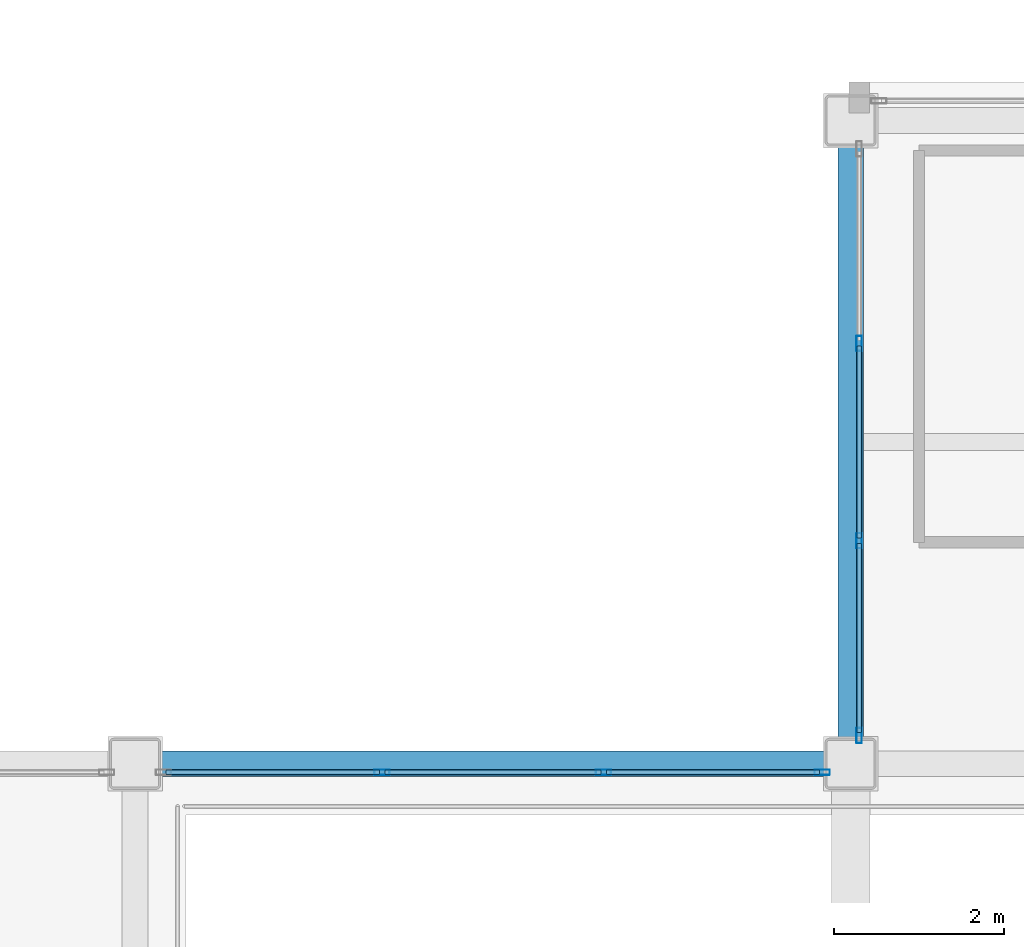
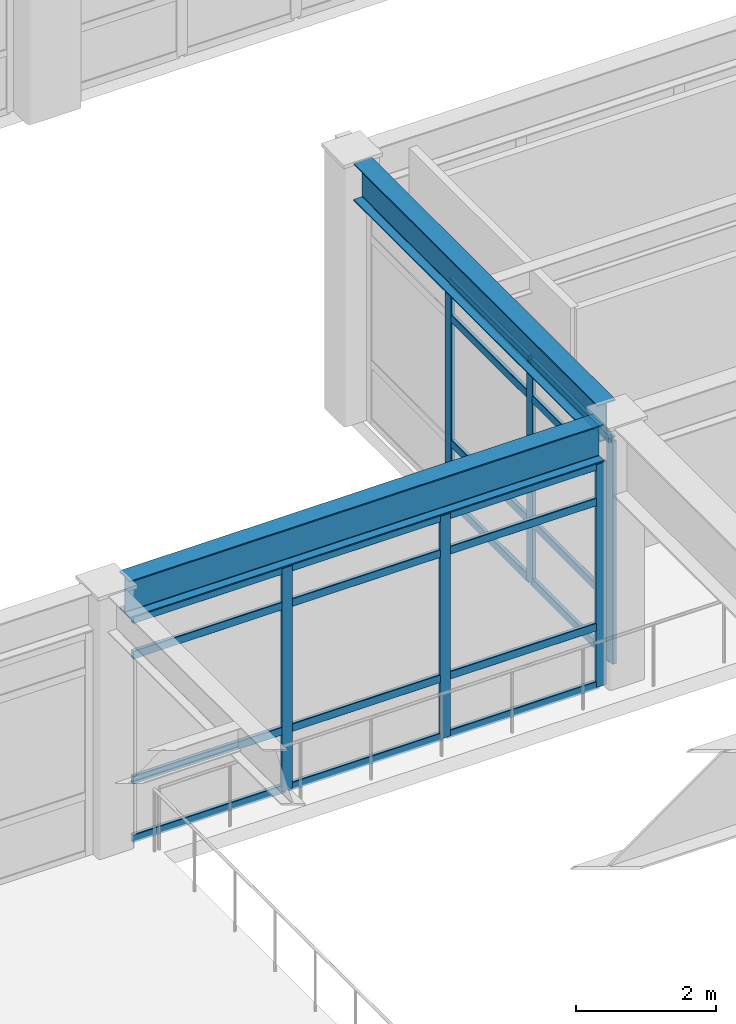
# One storey, part 24 of 172: 26 members, 2 beams, 2 elements without a shape of their own.
"""IFC4 building model written with IfcOpenShell, lengths in metres."""

from ifc_helpers import new_model, si_unit, direction, frame, origin, origin_2d, place, context, subcontext, project, spatial, hollow_rectangle, i_section, extrude, material, layer, layer_set, material_profile, profile_set, type_object, element, aggregate, save


model = new_model("IFC4")

# Units and contexts
model_context = context("Model", 3, precision=1e-05, world=origin(), true_north=direction((0.0, 1.0)))
body_context = subcontext(model_context, "Body", "Model", "MODEL_VIEW")
ifc_project = project(units=[si_unit("LENGTHUNIT", "METRE"), si_unit("AREAUNIT", "SQUARE_METRE"), si_unit("VOLUMEUNIT", "CUBIC_METRE"), si_unit("PLANEANGLEUNIT", "RADIAN"), si_unit("MASSUNIT", "GRAM", prefix="KILO")], contexts=[model_context])

# Site, building, storey
site_placement = place(None, origin())
site = spatial("IfcSite", under=ifc_project, at=site_placement, CompositionType="ELEMENT")
building_placement = place(site_placement, origin())
building = spatial("IfcBuilding", under=site, at=building_placement, Name="Kazehara Bluff Congress Hotel", CompositionType="ELEMENT")
storey_placement = place(building_placement, frame((0.0, 0.0, 5.39990234375)))
storey = spatial("IfcBuildingStorey", under=building, at=storey_placement, Name="L01", CompositionType="ELEMENT", Elevation=5.39990234375)

# Curtain wall, members
ifc_material_1 = material(Name="Anodised aluminium", Category="aluminium")
ifc_layer_1 = layer(ifc_material_1, 0.159912109375)
ifc_layer_set_1 = layer_set([ifc_layer_1], Name="Anodised aluminium")
curtain_wall_type_1 = type_object("IfcCurtainWallType", Name="TP-CW-33", PredefinedType="NOTDEFINED", material=ifc_layer_set_1)
curtain_wall_1_placement = place(storey_placement, origin())
curtain_wall_1 = element("IfcCurtainWall", 1, at=curtain_wall_1_placement, inside=storey, type_object=curtain_wall_type_1, Name="L01 curtain wall CW-33 CW-ENC-V2-L01-2530-3578", PredefinedType="NOTDEFINED")
ifc_material_2 = material(Name="Anodised aluminium", Category="aluminium")
ifc_material_profile_1 = material_profile(ifc_material_2, hollow_rectangle(XDim=0.06494140625, YDim=0.179931640625, WallThickness=0.00390625, InnerFilletRadius=0.00390625, OuterFilletRadius=0.008056640625, at=origin_2d()))
ifc_profile_set_1 = profile_set([ifc_material_profile_1], Name="Anodised aluminium")
member_type_1 = type_object("IfcMemberType", Name="TP-CWM-02", PredefinedType="MULLION", material=ifc_profile_set_1)
member_1_placement = place(storey_placement, frame((25.300048828125, 32.33251953125, 0.0), z_axis=(0.0, 0.0, 1.0), x_axis=(-1.0, 0.0, 0.0)))
member_1 = element("IfcMember", 2, at=member_1_placement, type_object=member_type_1, Name="CW-33 mullion 1", PredefinedType="MULLION", context=body_context, shape_type="SweptSolid", body=[
    extrude(hollow_rectangle(XDim=0.06494140625, YDim=0.179931640625, WallThickness=0.00390625, InnerFilletRadius=0.00390625, OuterFilletRadius=0.008056640625, at=origin_2d()), origin(), (0.0, 0.0, 1.0), 3.875),
])
member_2_placement = place(storey_placement, frame((25.300048828125, 34.61669921875, 0.0), z_axis=(0.0, 0.0, 1.0), x_axis=(-1.0, 0.0, 0.0)))
member_2 = element("IfcMember", 3, at=member_2_placement, type_object=member_type_1, Name="CW-33 mullion 2", PredefinedType="MULLION", context=body_context, shape_type="SweptSolid", body=[
    extrude(hollow_rectangle(XDim=0.06494140625, YDim=0.179931640625, WallThickness=0.00390625, InnerFilletRadius=0.00390625, OuterFilletRadius=0.008056640625, at=origin_2d()), origin(), (0.0, 0.0, 1.0), 3.875),
])
member_3_placement = place(storey_placement, frame((25.300048828125, 36.933349609375, 0.0), z_axis=(0.0, 0.0, 1.0), x_axis=(-1.0, 0.0, 0.0)))
member_3 = element("IfcMember", 4, at=member_3_placement, type_object=member_type_1, Name="CW-33 mullion 3", PredefinedType="MULLION", context=body_context, shape_type="SweptSolid", body=[
    extrude(hollow_rectangle(XDim=0.06494140625, YDim=0.179931640625, WallThickness=0.00390625, InnerFilletRadius=0.00390625, OuterFilletRadius=0.008056640625, at=origin_2d()), origin(), (0.0, 0.0, 1.0), 3.875),
])

ifc_material_3 = material(Name="Anodised aluminium", Category="aluminium")
ifc_layer_2 = layer(ifc_material_3, 0.159912109375)
ifc_layer_set_2 = layer_set([ifc_layer_2], Name="Anodised aluminium")
curtain_wall_type_2 = type_object("IfcCurtainWallType", Name="TP-CW-29", PredefinedType="NOTDEFINED", material=ifc_layer_set_2)
curtain_wall_2_placement = place(storey_placement, origin())
curtain_wall_2 = element("IfcCurtainWall", 5, at=curtain_wall_2_placement, inside=storey, type_object=curtain_wall_type_2, Name="L01 curtain wall CW-29 CW-ENC-V2-L01-2100-3190", PredefinedType="NOTDEFINED")
member_4_placement = place(storey_placement, frame((19.699951171875, 31.89990234375, 0.0), z_axis=(0.0, 0.0, 1.0), x_axis=(0.0, 1.0, 0.0)))
member_4 = element("IfcMember", 6, at=member_4_placement, type_object=member_type_1, Name="CW-29 mullion 2", PredefinedType="MULLION", context=body_context, shape_type="SweptSolid", body=[
    extrude(hollow_rectangle(XDim=0.06494140625, YDim=0.179931640625, WallThickness=0.00390625, InnerFilletRadius=0.00390625, OuterFilletRadius=0.008056640625, at=origin_2d()), origin(), (0.0, 0.0, 1.0), 3.875),
])
member_5_placement = place(storey_placement, frame((22.300048828125, 31.89990234375, 0.0), z_axis=(0.0, 0.0, 1.0), x_axis=(0.0, 1.0, 0.0)))
member_5 = element("IfcMember", 7, at=member_5_placement, type_object=member_type_1, Name="CW-29 mullion 3", PredefinedType="MULLION", context=body_context, shape_type="SweptSolid", body=[
    extrude(hollow_rectangle(XDim=0.06494140625, YDim=0.179931640625, WallThickness=0.00390625, InnerFilletRadius=0.00390625, OuterFilletRadius=0.008056640625, at=origin_2d()), origin(), (0.0, 0.0, 1.0), 3.875),
])
member_6_placement = place(storey_placement, frame((24.867431640625, 31.89990234375, 0.0), z_axis=(0.0, 0.0, 1.0), x_axis=(0.0, 1.0, 0.0)))
member_6 = element("IfcMember", 8, at=member_6_placement, type_object=member_type_1, Name="CW-29 mullion 4", PredefinedType="MULLION", context=body_context, shape_type="SweptSolid", body=[
    extrude(hollow_rectangle(XDim=0.06494140625, YDim=0.179931640625, WallThickness=0.00390625, InnerFilletRadius=0.00390625, OuterFilletRadius=0.008056640625, at=origin_2d()), origin(), (0.0, 0.0, 1.0), 3.875),
])

# Member
ifc_material_4 = material(Name="Anodised aluminium", Category="aluminium")
ifc_material_profile_2 = material_profile(ifc_material_4, hollow_rectangle(XDim=0.06494140625, YDim=0.139892578125, WallThickness=0.00390625, InnerFilletRadius=0.00390625, OuterFilletRadius=0.008056640625, at=origin_2d()))
ifc_profile_set_2 = profile_set([ifc_material_profile_2], Name="Anodised aluminium")
member_type_2 = type_object("IfcMemberType", Name="TP-CWT-02", PredefinedType="USERDEFINED", material=ifc_profile_set_2)
member_7_placement = place(storey_placement, frame((25.300048828125, 32.364990234375, 0.03271484375), z_axis=(0.0, 1.0, 0.0), x_axis=(-1.0, 0.0, 0.0)))
member_7 = element("IfcMember", 9, at=member_7_placement, type_object=member_type_2, Name="CW-33 transom 1.1", ObjectType="TRANSOM", PredefinedType="USERDEFINED", context=body_context, shape_type="SweptSolid", body=[
    extrude(hollow_rectangle(XDim=0.06494140625, YDim=0.139892578125, WallThickness=0.00390625, InnerFilletRadius=0.00390625, OuterFilletRadius=0.008056640625, at=origin_2d()), origin(), (0.0, 0.0, 1.0), 2.21923828125),
])

member_8_placement = place(storey_placement, frame((25.300048828125, 32.364990234375, 1.050048828125), z_axis=(0.0, 1.0, 0.0), x_axis=(-1.0, 0.0, 0.0)))
member_8 = element("IfcMember", 10, at=member_8_placement, type_object=member_type_2, Name="CW-33 transom 1.2", ObjectType="TRANSOM", PredefinedType="USERDEFINED", context=body_context, shape_type="SweptSolid", body=[
    extrude(hollow_rectangle(XDim=0.06494140625, YDim=0.139892578125, WallThickness=0.00390625, InnerFilletRadius=0.00390625, OuterFilletRadius=0.008056640625, at=origin_2d()), origin(), (0.0, 0.0, 1.0), 2.21923828125),
])

member_9_placement = place(storey_placement, frame((25.300048828125, 32.364990234375, 3.22509765625), z_axis=(0.0, 1.0, 0.0), x_axis=(-1.0, 0.0, 0.0)))
member_9 = element("IfcMember", 11, at=member_9_placement, type_object=member_type_2, Name="CW-33 transom 1.3", ObjectType="TRANSOM", PredefinedType="USERDEFINED", context=body_context, shape_type="SweptSolid", body=[
    extrude(hollow_rectangle(XDim=0.06494140625, YDim=0.139892578125, WallThickness=0.00390625, InnerFilletRadius=0.00390625, OuterFilletRadius=0.008056640625, at=origin_2d()), origin(), (0.0, 0.0, 1.0), 2.21923828125),
])

member_10_placement = place(storey_placement, frame((25.300048828125, 32.364990234375, 3.842529296875), z_axis=(0.0, 1.0, 0.0), x_axis=(-1.0, 0.0, 0.0)))
member_10 = element("IfcMember", 12, at=member_10_placement, type_object=member_type_2, Name="CW-33 transom 1.4", ObjectType="TRANSOM", PredefinedType="USERDEFINED", context=body_context, shape_type="SweptSolid", body=[
    extrude(hollow_rectangle(XDim=0.06494140625, YDim=0.139892578125, WallThickness=0.00390625, InnerFilletRadius=0.00390625, OuterFilletRadius=0.008056640625, at=origin_2d()), origin(), (0.0, 0.0, 1.0), 2.21923828125),
])

member_11_placement = place(storey_placement, frame((25.300048828125, 34.649169921875, 0.03271484375), z_axis=(0.0, 1.0, 0.0), x_axis=(-1.0, 0.0, 0.0)))
member_11 = element("IfcMember", 13, at=member_11_placement, type_object=member_type_2, Name="CW-33 transom 2.1", ObjectType="TRANSOM", PredefinedType="USERDEFINED", context=body_context, shape_type="SweptSolid", body=[
    extrude(hollow_rectangle(XDim=0.06494140625, YDim=0.139892578125, WallThickness=0.00390625, InnerFilletRadius=0.00390625, OuterFilletRadius=0.008056640625, at=origin_2d()), origin(), (0.0, 0.0, 1.0), 2.251708984375),
])

member_12_placement = place(storey_placement, frame((25.300048828125, 34.649169921875, 1.050048828125), z_axis=(0.0, 1.0, 0.0), x_axis=(-1.0, 0.0, 0.0)))
member_12 = element("IfcMember", 14, at=member_12_placement, type_object=member_type_2, Name="CW-33 transom 2.2", ObjectType="TRANSOM", PredefinedType="USERDEFINED", context=body_context, shape_type="SweptSolid", body=[
    extrude(hollow_rectangle(XDim=0.06494140625, YDim=0.139892578125, WallThickness=0.00390625, InnerFilletRadius=0.00390625, OuterFilletRadius=0.008056640625, at=origin_2d()), origin(), (0.0, 0.0, 1.0), 2.251708984375),
])

member_13_placement = place(storey_placement, frame((25.300048828125, 34.649169921875, 3.22509765625), z_axis=(0.0, 1.0, 0.0), x_axis=(-1.0, 0.0, 0.0)))
member_13 = element("IfcMember", 15, at=member_13_placement, type_object=member_type_2, Name="CW-33 transom 2.3", ObjectType="TRANSOM", PredefinedType="USERDEFINED", context=body_context, shape_type="SweptSolid", body=[
    extrude(hollow_rectangle(XDim=0.06494140625, YDim=0.139892578125, WallThickness=0.00390625, InnerFilletRadius=0.00390625, OuterFilletRadius=0.008056640625, at=origin_2d()), origin(), (0.0, 0.0, 1.0), 2.251708984375),
])

member_14_placement = place(storey_placement, frame((25.300048828125, 34.649169921875, 3.842529296875), z_axis=(0.0, 1.0, 0.0), x_axis=(-1.0, 0.0, 0.0)))
member_14 = element("IfcMember", 16, at=member_14_placement, type_object=member_type_2, Name="CW-33 transom 2.4", ObjectType="TRANSOM", PredefinedType="USERDEFINED", context=body_context, shape_type="SweptSolid", body=[
    extrude(hollow_rectangle(XDim=0.06494140625, YDim=0.139892578125, WallThickness=0.00390625, InnerFilletRadius=0.00390625, OuterFilletRadius=0.008056640625, at=origin_2d()), origin(), (0.0, 0.0, 1.0), 2.251708984375),
])

aggregate(curtain_wall_1, [member_1, member_2, member_3, member_7, member_8, member_9, member_10, member_11, member_12, member_13, member_14])

member_15_placement = place(storey_placement, frame((17.1650390625, 31.89990234375, 0.03271484375), z_axis=(1.0, 0.0, 0.0), x_axis=(0.0, 1.0, 0.0)))
member_15 = element("IfcMember", 17, at=member_15_placement, type_object=member_type_2, Name="CW-29 transom 1.1", ObjectType="TRANSOM", PredefinedType="USERDEFINED", context=body_context, shape_type="SweptSolid", body=[
    extrude(hollow_rectangle(XDim=0.06494140625, YDim=0.139892578125, WallThickness=0.00390625, InnerFilletRadius=0.00390625, OuterFilletRadius=0.008056640625, at=origin_2d()), origin(), (0.0, 0.0, 1.0), 2.50244140625),
])

member_16_placement = place(storey_placement, frame((17.1650390625, 31.89990234375, 1.050048828125), z_axis=(1.0, 0.0, 0.0), x_axis=(0.0, 1.0, 0.0)))
member_16 = element("IfcMember", 18, at=member_16_placement, type_object=member_type_2, Name="CW-29 transom 1.2", ObjectType="TRANSOM", PredefinedType="USERDEFINED", context=body_context, shape_type="SweptSolid", body=[
    extrude(hollow_rectangle(XDim=0.06494140625, YDim=0.139892578125, WallThickness=0.00390625, InnerFilletRadius=0.00390625, OuterFilletRadius=0.008056640625, at=origin_2d()), origin(), (0.0, 0.0, 1.0), 2.50244140625),
])

member_17_placement = place(storey_placement, frame((17.1650390625, 31.89990234375, 3.22509765625), z_axis=(1.0, 0.0, 0.0), x_axis=(0.0, 1.0, 0.0)))
member_17 = element("IfcMember", 19, at=member_17_placement, type_object=member_type_2, Name="CW-29 transom 1.3", ObjectType="TRANSOM", PredefinedType="USERDEFINED", context=body_context, shape_type="SweptSolid", body=[
    extrude(hollow_rectangle(XDim=0.06494140625, YDim=0.139892578125, WallThickness=0.00390625, InnerFilletRadius=0.00390625, OuterFilletRadius=0.008056640625, at=origin_2d()), origin(), (0.0, 0.0, 1.0), 2.50244140625),
])

member_18_placement = place(storey_placement, frame((17.1650390625, 31.89990234375, 3.842529296875), z_axis=(1.0, 0.0, 0.0), x_axis=(0.0, 1.0, 0.0)))
member_18 = element("IfcMember", 20, at=member_18_placement, type_object=member_type_2, Name="CW-29 transom 1.4", ObjectType="TRANSOM", PredefinedType="USERDEFINED", context=body_context, shape_type="SweptSolid", body=[
    extrude(hollow_rectangle(XDim=0.06494140625, YDim=0.139892578125, WallThickness=0.00390625, InnerFilletRadius=0.00390625, OuterFilletRadius=0.008056640625, at=origin_2d()), origin(), (0.0, 0.0, 1.0), 2.50244140625),
])

member_19_placement = place(storey_placement, frame((19.732421875, 31.89990234375, 0.03271484375), z_axis=(1.0, 0.0, 0.0), x_axis=(0.0, 1.0, 0.0)))
member_19 = element("IfcMember", 21, at=member_19_placement, type_object=member_type_2, Name="CW-29 transom 2.1", ObjectType="TRANSOM", PredefinedType="USERDEFINED", context=body_context, shape_type="SweptSolid", body=[
    extrude(hollow_rectangle(XDim=0.06494140625, YDim=0.139892578125, WallThickness=0.00390625, InnerFilletRadius=0.00390625, OuterFilletRadius=0.008056640625, at=origin_2d()), origin(), (0.0, 0.0, 1.0), 2.53515625),
])

member_20_placement = place(storey_placement, frame((19.732421875, 31.89990234375, 1.050048828125), z_axis=(1.0, 0.0, 0.0), x_axis=(0.0, 1.0, 0.0)))
member_20 = element("IfcMember", 22, at=member_20_placement, type_object=member_type_2, Name="CW-29 transom 2.2", ObjectType="TRANSOM", PredefinedType="USERDEFINED", context=body_context, shape_type="SweptSolid", body=[
    extrude(hollow_rectangle(XDim=0.06494140625, YDim=0.139892578125, WallThickness=0.00390625, InnerFilletRadius=0.00390625, OuterFilletRadius=0.008056640625, at=origin_2d()), origin(), (0.0, 0.0, 1.0), 2.53515625),
])

member_21_placement = place(storey_placement, frame((19.732421875, 31.89990234375, 3.22509765625), z_axis=(1.0, 0.0, 0.0), x_axis=(0.0, 1.0, 0.0)))
member_21 = element("IfcMember", 23, at=member_21_placement, type_object=member_type_2, Name="CW-29 transom 2.3", ObjectType="TRANSOM", PredefinedType="USERDEFINED", context=body_context, shape_type="SweptSolid", body=[
    extrude(hollow_rectangle(XDim=0.06494140625, YDim=0.139892578125, WallThickness=0.00390625, InnerFilletRadius=0.00390625, OuterFilletRadius=0.008056640625, at=origin_2d()), origin(), (0.0, 0.0, 1.0), 2.53515625),
])

member_22_placement = place(storey_placement, frame((19.732421875, 31.89990234375, 3.842529296875), z_axis=(1.0, 0.0, 0.0), x_axis=(0.0, 1.0, 0.0)))
member_22 = element("IfcMember", 24, at=member_22_placement, type_object=member_type_2, Name="CW-29 transom 2.4", ObjectType="TRANSOM", PredefinedType="USERDEFINED", context=body_context, shape_type="SweptSolid", body=[
    extrude(hollow_rectangle(XDim=0.06494140625, YDim=0.139892578125, WallThickness=0.00390625, InnerFilletRadius=0.00390625, OuterFilletRadius=0.008056640625, at=origin_2d()), origin(), (0.0, 0.0, 1.0), 2.53515625),
])

member_23_placement = place(storey_placement, frame((22.33251953125, 31.89990234375, 0.03271484375), z_axis=(1.0, 0.0, 0.0), x_axis=(0.0, 1.0, 0.0)))
member_23 = element("IfcMember", 25, at=member_23_placement, type_object=member_type_2, Name="CW-29 transom 3.1", ObjectType="TRANSOM", PredefinedType="USERDEFINED", context=body_context, shape_type="SweptSolid", body=[
    extrude(hollow_rectangle(XDim=0.06494140625, YDim=0.139892578125, WallThickness=0.00390625, InnerFilletRadius=0.00390625, OuterFilletRadius=0.008056640625, at=origin_2d()), origin(), (0.0, 0.0, 1.0), 2.50244140625),
])

member_24_placement = place(storey_placement, frame((22.33251953125, 31.89990234375, 1.050048828125), z_axis=(1.0, 0.0, 0.0), x_axis=(0.0, 1.0, 0.0)))
member_24 = element("IfcMember", 26, at=member_24_placement, type_object=member_type_2, Name="CW-29 transom 3.2", ObjectType="TRANSOM", PredefinedType="USERDEFINED", context=body_context, shape_type="SweptSolid", body=[
    extrude(hollow_rectangle(XDim=0.06494140625, YDim=0.139892578125, WallThickness=0.00390625, InnerFilletRadius=0.00390625, OuterFilletRadius=0.008056640625, at=origin_2d()), origin(), (0.0, 0.0, 1.0), 2.50244140625),
])

member_25_placement = place(storey_placement, frame((22.33251953125, 31.89990234375, 3.22509765625), z_axis=(1.0, 0.0, 0.0), x_axis=(0.0, 1.0, 0.0)))
member_25 = element("IfcMember", 27, at=member_25_placement, type_object=member_type_2, Name="CW-29 transom 3.3", ObjectType="TRANSOM", PredefinedType="USERDEFINED", context=body_context, shape_type="SweptSolid", body=[
    extrude(hollow_rectangle(XDim=0.06494140625, YDim=0.139892578125, WallThickness=0.00390625, InnerFilletRadius=0.00390625, OuterFilletRadius=0.008056640625, at=origin_2d()), origin(), (0.0, 0.0, 1.0), 2.50244140625),
])

member_26_placement = place(storey_placement, frame((22.33251953125, 31.89990234375, 3.842529296875), z_axis=(1.0, 0.0, 0.0), x_axis=(0.0, 1.0, 0.0)))
member_26 = element("IfcMember", 28, at=member_26_placement, type_object=member_type_2, Name="CW-29 transom 3.4", ObjectType="TRANSOM", PredefinedType="USERDEFINED", context=body_context, shape_type="SweptSolid", body=[
    extrude(hollow_rectangle(XDim=0.06494140625, YDim=0.139892578125, WallThickness=0.00390625, InnerFilletRadius=0.00390625, OuterFilletRadius=0.008056640625, at=origin_2d()), origin(), (0.0, 0.0, 1.0), 2.50244140625),
])

aggregate(curtain_wall_2, [member_4, member_5, member_6, member_15, member_16, member_17, member_18, member_19, member_20, member_21, member_22, member_23, member_24, member_25, member_26])

# Beams
ifc_material_5 = material(Name="Steel SN490B", Category="steel")
ifc_material_profile_3 = material_profile(ifc_material_5, i_section(OverallWidth=0.300048828125, OverallDepth=0.64990234375, WebThickness=0.011962890625, FlangeThickness=0.02001953125, FilletRadius=0.012939453125, at=origin_2d()))
ifc_profile_set_3 = profile_set([ifc_material_profile_3], Name="Steel SN490B")
beam_type = type_object("IfcBeamType", Name="TP-G-03", PredefinedType="BEAM", material=ifc_profile_set_3)
beam_1_placement = place(storey_placement, frame((25.199951171875, 32.300048828125, 4.22509765625), z_axis=(0.0, 1.0, 0.0), x_axis=(-1.0, 0.0, 0.0)))
element("IfcBeam", 29, at=beam_1_placement, inside=storey, type_object=beam_type, Name="L01 girder G-03 54", PredefinedType="BEAM", context=body_context, shape_type="SweptSolid", body=[
    extrude(i_section(OverallWidth=0.300048828125, OverallDepth=0.64990234375, WebThickness=0.011962890625, FlangeThickness=0.02001953125, FilletRadius=0.012939453125, at=origin_2d()), origin(), (0.0, 0.0, 1.0), 6.949951171875),
])
beam_2_placement = place(storey_placement, frame((17.10009765625, 32.0, 4.22509765625), z_axis=(1.0, 0.0, 0.0), x_axis=(0.0, 1.0, 0.0)))
element("IfcBeam", 30, at=beam_2_placement, inside=storey, type_object=beam_type, Name="L01 girder G-03 90", PredefinedType="BEAM", context=body_context, shape_type="SweptSolid", body=[
    extrude(i_section(OverallWidth=0.300048828125, OverallDepth=0.64990234375, WebThickness=0.011962890625, FlangeThickness=0.02001953125, FilletRadius=0.012939453125, at=origin_2d()), origin(), (0.0, 0.0, 1.0), 7.7998046875),
])

save(model, "model.ifc")
